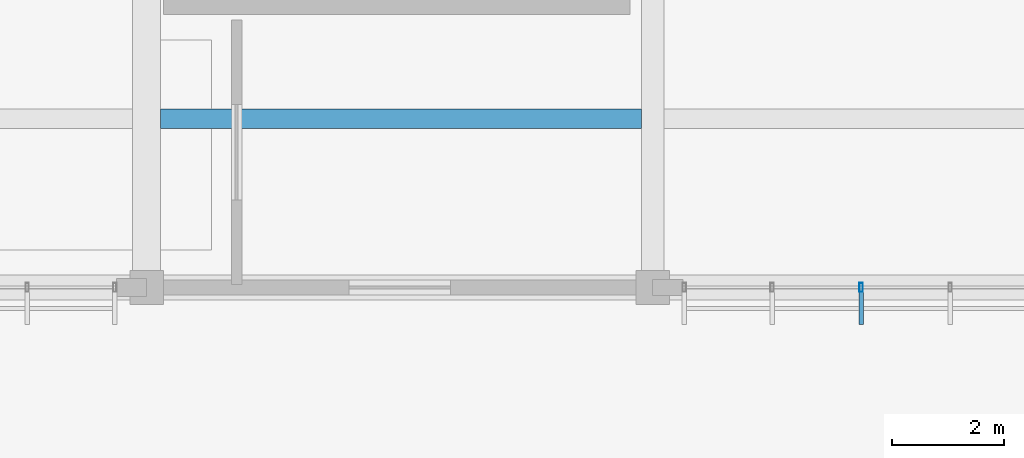
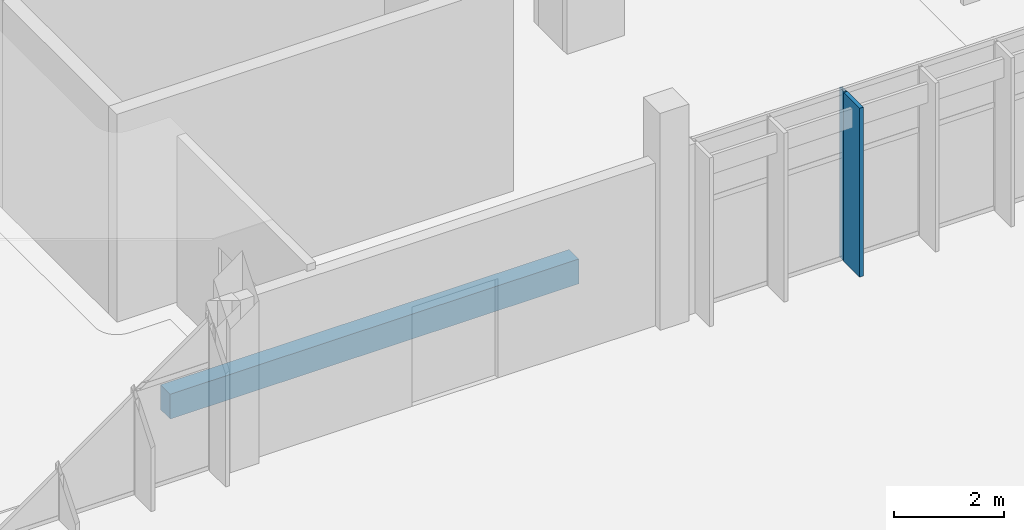
# One storey, part 65 of 151: 2 members, 1 beam, 1 element without a shape of its own.
"""IFC4 building model written with IfcOpenShell, lengths in metres."""

import ifcopenshell
import ifcopenshell.guid

model = None  # the IFC model being written
_history = None  # IfcOwnerHistory: only IFC2X3 demands one
_inside = {}  # id of a spatial element -> (the spatial element, [elements in it])
_under = {}  # id of a project, library or spatial element -> (it, [spatial elements below it])
_declared = {}  # id of a project -> (the project, [libraries it declares])
_typed = {}  # id of a type object -> (the type object, [elements of that type])
_made_of = {}  # id of a material, layer set ... -> (it, [elements and type objects made of it])


def new_model(schema):
    """Start an empty IFC model of exactly this schema.

    Asked for "IFC4X3", IfcOpenShell would pick the latest addendum, in which some entities
    have other attributes; the version numbers below select the first issue.
    IFC2X3 requires an IfcOwnerHistory on every rooted entity: one is made here for all.
    """
    global model, _history
    if schema == "IFC4X3":
        model = ifcopenshell.file(schema_version=(4, 3, 0, 0))
    else:
        model = ifcopenshell.file(schema=schema)
    _inside.clear()
    _under.clear()
    _declared.clear()
    _typed.clear()
    _made_of.clear()
    _history = None
    if model.schema == "IFC2X3":
        org = make("IfcOrganization", Name="unknown")
        user = make(
            "IfcPersonAndOrganization",
            ThePerson=make("IfcPerson", FamilyName="unknown"),
            TheOrganization=org,
        )
        app = make(
            "IfcApplication",
            ApplicationDeveloper=org,
            Version="unknown",
            ApplicationFullName="unknown",
            ApplicationIdentifier="unknown",
        )
        _history = make(
            "IfcOwnerHistory",
            OwningUser=user,
            OwningApplication=app,
            ChangeAction="ADDED",
            CreationDate=0,
        )
    return model


def make(cls, **values):
    """One entity of the class cls with the attributes given. An attribute that is None is left unset."""
    return model.create_entity(
        cls, **{name: value for name, value in values.items() if value is not None}
    )


def rooted(cls, **values):
    """An entity with a GlobalId (a new one), such as an element, a storey or a relation."""
    return make(cls, GlobalId=ifcopenshell.guid.new(), OwnerHistory=_history, **values)


def si_unit(unit_type, name, prefix=None):
    """IfcSIUnit, for example si_unit("LENGTHUNIT", "METRE", prefix="MILLI")."""
    return make("IfcSIUnit", UnitType=unit_type, Prefix=prefix, Name=name)


def assignment(units):
    """IfcUnitAssignment: the units of a project."""
    return None if units is None else make("IfcUnitAssignment", Units=units)


def point(xyz):
    """IfcCartesianPoint."""
    return None if xyz is None else make("IfcCartesianPoint", Coordinates=xyz)


def direction(xyz):
    """IfcDirection."""
    return None if xyz is None else make("IfcDirection", DirectionRatios=xyz)


def frame(location, z_axis=None, x_axis=None):
    """IfcAxis2Placement3D, a coordinate frame: its origin and axes. An axis left out is left unset."""
    return make(
        "IfcAxis2Placement3D",
        Location=point(location),
        Axis=direction(z_axis),
        RefDirection=direction(x_axis),
    )


def frame_2d(location, x_axis=None):
    """IfcAxis2Placement2D, a coordinate frame in the plane: its origin and x axis."""
    return make(
        "IfcAxis2Placement2D", Location=point(location), RefDirection=direction(x_axis)
    )


def origin():
    """The frame at (0, 0, 0) with its axes left unset."""
    return frame((0.0, 0.0, 0.0))


def origin_2d():
    """The frame at (0, 0) in the plane with its x axis left unset."""
    return frame_2d((0.0, 0.0))


def place(relative_to, where):
    """IfcLocalPlacement: puts the frame where relative to a parent placement (None: the world)."""
    return make(
        "IfcLocalPlacement", PlacementRelTo=relative_to, RelativePlacement=where
    )


def context(
    kind, dimensions, precision=None, world=None, true_north=None, identifier=None
):
    """IfcGeometricRepresentationContext, for example the 3D "Model" context."""
    return make(
        "IfcGeometricRepresentationContext",
        ContextIdentifier=identifier,
        ContextType=kind,
        CoordinateSpaceDimension=dimensions,
        Precision=precision,
        WorldCoordinateSystem=world,
        TrueNorth=true_north,
    )


def subcontext(parent, identifier, kind, view, scale=None):
    """IfcGeometricRepresentationSubContext, for example "Body" below "Model"."""
    return make(
        "IfcGeometricRepresentationSubContext",
        ContextIdentifier=identifier,
        ContextType=kind,
        ParentContext=parent,
        TargetScale=scale,
        TargetView=view,
    )


def project(units=None, contexts=None):
    """IfcProject with its units and contexts."""
    return rooted(
        "IfcProject",
        Name="project",
        RepresentationContexts=contexts,
        UnitsInContext=assignment(units),
    )


def spatial(cls, under=None, at=None, **own):
    """A site, building, storey or space (cls), placed at a placement, below another one or the project."""
    s = rooted(cls, ObjectPlacement=at, **own)
    if under is not None:
        _under.setdefault(under.id(), (under, []))[1].append(s)
    return s


def profile(cls, at=None, kind="AREA", **sizes):
    """A parametric profile (cls). Its sizes go by their IFC names, for example OverallWidth=200.0."""
    return make(cls, ProfileType=kind, Position=at, **sizes)


def rectangle(**sizes):
    """IfcRectangleProfileDef."""
    return profile("IfcRectangleProfileDef", **sizes)


def hollow_rectangle(**sizes):
    """IfcRectangleHollowProfileDef."""
    return profile("IfcRectangleHollowProfileDef", **sizes)


def extrude(swept, where, along, depth):
    """IfcExtrudedAreaSolid: the profile swept, set in the frame where, extruded along a direction by depth."""
    return make(
        "IfcExtrudedAreaSolid",
        SweptArea=swept,
        Position=where,
        ExtrudedDirection=direction(along),
        Depth=depth,
    )


def shape(context_of_items, identifier, shape_type, items):
    """IfcShapeRepresentation: the items that make up one representation, for example the "Body"."""
    return make(
        "IfcShapeRepresentation",
        ContextOfItems=context_of_items,
        RepresentationIdentifier=identifier,
        RepresentationType=shape_type,
        Items=items,
    )


def material(Name=None, Category=None):
    """IfcMaterial."""
    return make("IfcMaterial", Name=Name, Category=Category)


def material_profile(
    of_material, cross_section, Name=None, Category=None, Priority=None
):
    """IfcMaterialProfile: a cross section and its material."""
    return make(
        "IfcMaterialProfile",
        Name=Name,
        Material=of_material,
        Profile=cross_section,
        Priority=Priority,
        Category=Category,
    )


def profile_set(profiles, Name=None, composite=None):
    """IfcMaterialProfileSet."""
    return make(
        "IfcMaterialProfileSet",
        Name=Name,
        MaterialProfiles=profiles,
        CompositeProfile=composite,
    )


def made_of(thing, what):
    """Note that an element or type object is made of a material, layer set ...; save() writes the relation."""
    if what is not None:
        _made_of.setdefault(what.id(), (what, []))[1].append(thing)
    return thing


def type_object(cls, material=None, **own):
    """A type object (cls), such as IfcWallType, which elements share."""
    return made_of(rooted(cls, **own), material)


def element(
    cls,
    number,
    at=None,
    inside=None,
    cuts=None,
    type_object=None,
    material=None,
    context=None,
    identifier="Body",
    shape_type=None,
    held_by="IfcProductDefinitionShape",
    body=None,
    shapes=None,
    **own,
):
    """One element of the class cls, such as IfcWall. Its Tag is "e" and its number.

    at: its placement. inside: the storey or other place that contains it. cuts: it is an
    opening in that element (IfcRelVoidsElement). A single representation is given by context,
    identifier, shape_type and body (its items); several are given by shapes. held_by: the class
    of the entity that holds the representations. save() writes the other relations.
    """
    e = rooted(cls, Tag="e%d" % number, ObjectPlacement=at, **own)
    if body is not None:
        shapes = [shape(context, identifier, shape_type, body)]
    if shapes is not None:
        e.Representation = make(held_by, Representations=shapes)
    if inside is not None:
        _inside.setdefault(inside.id(), (inside, []))[1].append(e)
    if cuts is not None:
        rooted(
            "IfcRelVoidsElement", RelatingBuildingElement=cuts, RelatedOpeningElement=e
        )
    if type_object is not None:
        _typed.setdefault(type_object.id(), (type_object, []))[1].append(e)
    return made_of(e, material)


def aggregate(whole, parts):
    """IfcRelAggregates: a whole, such as a stair, and the parts it consists of."""
    return rooted("IfcRelAggregates", RelatingObject=whole, RelatedObjects=parts)


def save(model, path):
    """Write the relations noted so far, then the file.

    IfcRelAggregates (storeys below a building ...), IfcRelContainedInSpatialStructure (elements
    in a storey), IfcRelDefinesByType, IfcRelAssociatesMaterial and IfcRelDeclares: one each for
    every whole, place, type object, material and project.
    """
    for whole, parts in _under.values():
        aggregate(whole, parts)
    for where, things in _inside.values():
        rooted(
            "IfcRelContainedInSpatialStructure",
            RelatedElements=things,
            RelatingStructure=where,
        )
    for kind, things in _typed.values():
        rooted("IfcRelDefinesByType", RelatedObjects=things, RelatingType=kind)
    for what, things in _made_of.values():
        rooted("IfcRelAssociatesMaterial", RelatedObjects=things, RelatingMaterial=what)
    for by, libraries in _declared.values():
        rooted("IfcRelDeclares", RelatingContext=by, RelatedDefinitions=libraries)
    model.write(path)


model = new_model("IFC4")

# Units and contexts
model_context = context("Model", 3, precision=1e-05, world=origin(), true_north=direction((0.0, 1.0)))
body_context = subcontext(model_context, "Body", "Model", "MODEL_VIEW")
ifc_project = project(units=[si_unit("LENGTHUNIT", "METRE"), si_unit("AREAUNIT", "SQUARE_METRE"), si_unit("VOLUMEUNIT", "CUBIC_METRE"), si_unit("PLANEANGLEUNIT", "RADIAN"), si_unit("MASSUNIT", "GRAM", prefix="KILO")], contexts=[model_context])

# Site, building, storey
site_placement = place(None, origin())
site = spatial("IfcSite", under=ifc_project, at=site_placement, CompositionType="ELEMENT")
building_placement = place(site_placement, origin())
building = spatial("IfcBuilding", under=site, at=building_placement, Name="Chiffa Square Polytechnic", CompositionType="ELEMENT")
storey_placement = place(building_placement, origin())
storey = spatial("IfcBuildingStorey", under=building, at=storey_placement, Name="L00", CompositionType="ELEMENT", Elevation=0.0)

# Curtain wall, members
ifc_material_1 = material(Name="Aluminium EN AW-6060 T66 and glulam shading", Category="wood")
curtain_wall_type = type_object("IfcCurtainWallType", Name="CW-VERT-360X380", PredefinedType="USERDEFINED", material=ifc_material_1)
curtain_wall_placement = place(storey_placement, origin())
curtain_wall = element("IfcCurtainWall", 1, at=curtain_wall_placement, inside=storey, type_object=curtain_wall_type, Name="Curtain wall CW-V5-L00-189", ObjectType="CURTAIN WALL", PredefinedType="USERDEFINED")
ifc_material_2 = material(Name="Aluminium EN AW-6060 T66", Category="aluminium")
ifc_material_profile_1 = material_profile(ifc_material_2, hollow_rectangle(XDim=0.06005859375, YDim=0.159912109375, WallThickness=0.00390625, at=origin_2d()), Name="ALU 60x160x4")
ifc_profile_set_1 = profile_set([ifc_material_profile_1], Name="Aluminium EN AW-6060 T66")
member_type_1 = type_object("IfcMemberType", Name="CWM-ALU-65X150", PredefinedType="MULLION", material=ifc_profile_set_1)
member_1_placement = place(storey_placement, frame((79.30810546875, 103.800048828125, 0.0), z_axis=(0.0, 0.0, 1.0), x_axis=(1.0, 0.0, 0.0)))
member_1 = element("IfcMember", 2, at=member_1_placement, type_object=member_type_1, Name="Curtain wall mullion CW-V5-L00-189-M02", PredefinedType="MULLION", context=body_context, shape_type="SweptSolid", body=[
    extrude(hollow_rectangle(XDim=0.06005859375, YDim=0.159912109375, WallThickness=0.00390625, at=origin_2d()), origin(), (0.0, 0.0, 1.0), 3.7548828125),
])
ifc_material_3 = material(Name="Glulam GL28h", Category="wood")
ifc_material_profile_2 = material_profile(ifc_material_3, rectangle(XDim=0.080078125, YDim=0.580078125, at=origin_2d()), Name="GL28h 80x580")
ifc_profile_set_2 = profile_set([ifc_material_profile_2], Name="Glulam GL28h")
member_type_2 = type_object("IfcMemberType", Name="CWM-GL-80X580", PredefinedType="MULLION", material=ifc_profile_set_2)
member_2_placement = place(storey_placement, frame((79.30810546875, 103.427978515625, 0.010009765625), z_axis=(0.0, 0.0, 1.0), x_axis=(1.0, 0.0, 0.0)))
member_2 = element("IfcMember", 3, at=member_2_placement, type_object=member_type_2, Name="Exterior glulam solar fin CW-V5-L00-189-FN02", PredefinedType="MULLION", context=body_context, shape_type="SweptSolid", body=[
    extrude(rectangle(XDim=0.080078125, YDim=0.580078125, at=origin_2d()), origin(), (0.0, 0.0, 1.0), 3.735107421875),
])
aggregate(curtain_wall, [member_1, member_2])

# Beam
ifc_material_4 = material(Name="Concrete C35/45", Category="concrete")
ifc_material_profile_3 = material_profile(ifc_material_4, rectangle(XDim=0.35009765625, YDim=0.550048828125, at=origin_2d()), Name="RC 350x550")
ifc_profile_set_3 = profile_set([ifc_material_profile_3], Name="Concrete C35/45")
beam_type = type_object("IfcBeamType", Name="JST-RC-350X550", PredefinedType="JOIST", material=ifc_profile_set_3)
beam_placement = place(storey_placement, frame((66.847900390625, 106.800048828125, -0.625), z_axis=(1.0, 0.0, 0.0), x_axis=(0.0, 1.0, 0.0)))
element("IfcBeam", 4, at=beam_placement, inside=storey, type_object=beam_type, Name="Secondary floor joist JST-V5-L00-0666-1068", PredefinedType="JOIST", context=body_context, shape_type="SweptSolid", body=[
    extrude(rectangle(XDim=0.35009765625, YDim=0.550048828125, at=origin_2d()), origin(), (0.0, 0.0, 1.0), 8.55419921875),
])

save(model, "model.ifc")
